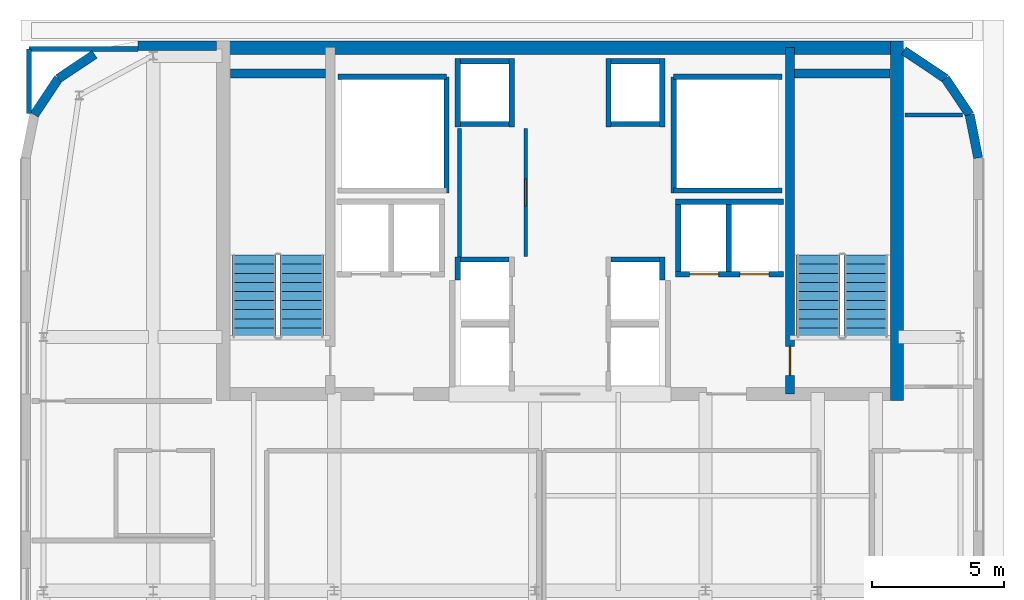
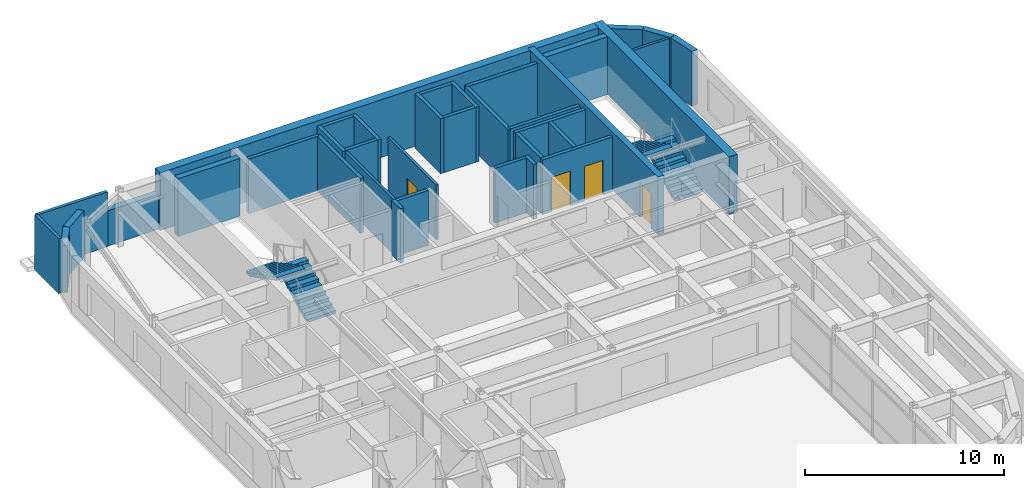
# One storey, part 11 of 16: 37 walls, 4 doors, 4 stair flights, 4 openings, 2 elements without a shape of their own.
"""IFC4 building model written with IfcOpenShell, lengths in metres."""

from ifc_helpers import new_model, si_unit, direction, frame, frame_2d, origin, place, context, subcontext, project, spatial, polyline, rectangle, outline, extrude, source, transform, mapped, material, layer, layer_set, type_object, type_shapes, element, fill, aggregate, save


model = new_model("IFC4")

# Units and contexts
model_context = context("Model", 3, precision=1e-05, world=origin(), true_north=direction((0.0, 1.0)))
body_context = subcontext(model_context, "Body", "Model", "MODEL_VIEW")
ifc_project = project(units=[si_unit("LENGTHUNIT", "METRE"), si_unit("AREAUNIT", "SQUARE_METRE"), si_unit("VOLUMEUNIT", "CUBIC_METRE"), si_unit("PLANEANGLEUNIT", "RADIAN"), si_unit("MASSUNIT", "GRAM", prefix="KILO")], contexts=[model_context])

# Site, building, storey
site_placement = place(None, origin())
site = spatial("IfcSite", under=ifc_project, at=site_placement, CompositionType="ELEMENT")
building_placement = place(site_placement, origin())
building = spatial("IfcBuilding", under=site, at=building_placement, Name="Tolvann Quenvar Hotel", CompositionType="ELEMENT")
storey_placement = place(building_placement, frame((0.0, 0.0, 241.64990234375)))
storey = spatial("IfcBuildingStorey", under=building, at=storey_placement, Name="L64", CompositionType="ELEMENT", Elevation=241.64990234375)

# Walls
ifc_material_1 = material(Name="Concrete N50 (50 MPa)", Category="concrete")
ifc_layer_1 = layer(ifc_material_1, 0.5)
ifc_layer_set_1 = layer_set([ifc_layer_1], Name="Concrete N50 (50 MPa)")
wall_type_1 = type_object("IfcWallType", Name="WALL_CORE_500", PredefinedType="SHEAR", material=ifc_layer_set_1)
wall_1_placement = place(storey_placement, frame((10.0, 44.949951171875, 0.0), z_axis=(0.0, 0.0, 1.0), x_axis=(1.0, 0.0, 0.0)))
element("IfcWall", 1, at=wall_1_placement, inside=storey, type_object=wall_type_1, Name="Rear Core N Shear Wall (L64)", PredefinedType="SHEAR", context=body_context, shape_type="SweptSolid", body=[
    extrude(rectangle(XDim=26.0, YDim=0.5, at=frame_2d((13.0, 0.0))), origin(), (0.0, 0.0, 1.0), 3.550048828125),
])
wall_2_placement = place(storey_placement, frame((35.75, 31.60009765625, 0.0), z_axis=(0.0, 0.0, 1.0), x_axis=(0.0, 1.0, 0.0)))
element("IfcWall", 2, at=wall_2_placement, inside=storey, type_object=wall_type_1, Name="Rear Core E Shear Wall (L64)", PredefinedType="SHEAR", context=body_context, shape_type="SweptSolid", body=[
    extrude(rectangle(XDim=13.599853515625, YDim=0.5, at=frame_2d((6.7998046875, 0.0))), origin(), (0.0, 0.0, 1.0), 3.550048828125),
])

# Wall, opening, door
ifc_material_2 = material(Name="Concrete S65 (65 MPa)", Category="concrete")
ifc_layer_2 = layer(ifc_material_2, 0.35009765625)
ifc_layer_set_2 = layer_set([ifc_layer_2], Name="Concrete S65 (65 MPa)")
wall_type_2 = type_object("IfcWallType", Name="WALL_CORE_INT_350", PredefinedType="SHEAR", material=ifc_layer_set_2)
wall_3_placement = place(storey_placement, frame((31.699951171875, 31.85009765625, 0.0), z_axis=(0.0, 0.0, 1.0), x_axis=(0.0, 1.0, 0.0)))
wall_3 = element("IfcWall", 3, at=wall_3_placement, inside=storey, type_object=wall_type_2, Name="Core Internal Web Shear Wall WEB-E (L64)", PredefinedType="SHEAR", context=body_context, shape_type="SweptSolid", body=[
    extrude(rectangle(XDim=13.099853515625, YDim=0.35009765625, at=frame_2d((6.5498046875, 0.0))), origin(), (0.0, 0.0, 1.0), 3.550048828125),
])
opening_1_placement = place(wall_3_placement, frame((1.800048828125, 0.0, 0.0), z_axis=(0.0, 0.0, 1.0), x_axis=(-1.0, 0.0, 0.0)))
opening_1 = element("IfcOpeningElement", 4, at=opening_1_placement, cuts=wall_3, Name="Opening FD-120", PredefinedType="OPENING", context=body_context, shape_type="SweptSolid", body=[
    extrude(rectangle(XDim=1.10009765625, YDim=2.1201171875, at=frame_2d((0.550048828125, 1.06005859375))), frame((0.0, 0.18505859375, 0.0), z_axis=(0.0, -1.0, 0.0), x_axis=(1.0, 0.0, 0.0)), (0.0, 0.0, 1.0), 0.3701171875),
])
ifc_material_3 = material(Name="Pressed galvanised steel fire-rated door set", Category="steel")
door_type_1 = type_object("IfcDoorType", Name="DOOR_FIRE_STAIR_1100", OperationType="NOTDEFINED", PredefinedType="DOOR", material=ifc_material_3)
shared_shape_1 = source(origin(), body_context, "Body", "SweptSolid", [
    extrude(rectangle(XDim=1.10009765625, YDim=2.1201171875, at=frame_2d((0.550048828125, 1.06005859375))), frame((0.0, 0.02490234375, 0.0), z_axis=(0.0, -1.0, 0.0), x_axis=(1.0, 0.0, 0.0)), (0.0, 0.0, 1.0), 0.050048828125),
])
type_shapes(door_type_1, [shared_shape_1])
door_1_placement = place(opening_1_placement, origin())
door_1 = element("IfcDoor", 5, at=door_1_placement, inside=storey, type_object=door_type_1, Name="Exit Stair ST-C2 Fire Door (L64)", OperationType="SINGLE_SWING_RIGHT", OverallHeight=2.1201171875, OverallWidth=1.10009765625, PredefinedType="DOOR", context=body_context, shape_type="MappedRepresentation", body=[
    mapped(shared_shape_1, transform((0.0, 0.0, 0.0), x_axis=(1.0, 0.0, 0.0), y_axis=(0.0, 1.0, 0.0), z_axis=(0.0, 0.0, 1.0), scale=1.0)),
])
fill(opening_1, door_1)

# Walls
for number, where, z_axis, x_axis, name in (
    (6, (10.52001953125, 43.97509765625, 0.0), (0.0, 0.0, 1.0), (1.0, 0.0, 0.0), "Core Stair North Closing Shear Wall STC1-N (L64)"),
    (7, (31.8798828125, 43.97509765625, 0.0), (0.0, 0.0, 1.0), (1.0, 0.0, 0.0), "Core Stair North Closing Shear Wall STC2-N (L64)"),
):
    element("IfcWall", number, at=place(storey_placement, frame(where, z_axis=z_axis, x_axis=x_axis)), inside=storey, type_object=wall_type_2, Name=name, PredefinedType="SHEAR", context=body_context, shape_type="SweptSolid", body=[
        extrude(rectangle(XDim=3.60009765625, YDim=0.35009765625, at=frame_2d((1.800048828125, 0.0))), origin(), (0.0, 0.0, 1.0), 3.550048828125),
    ])
ifc_material_4 = material(Name="Kiln-fired red and buff architectural clay brickwork and terracotta masonry", Category="masonry")
ifc_layer_3 = layer(ifc_material_4, 0.35009765625)
ifc_layer_set_3 = layer_set([ifc_layer_3], Name="Kiln-fired red and buff architectural clay brickwork and terracotta masonry")
wall_type_3 = type_object("IfcWallType", Name="WALL_EXT_BRICK_350", PredefinedType="SOLIDWALL", material=ifc_layer_set_3)
wall_4_placement = place(storey_placement, frame((38.824951171875, 40.78271484375, 0.0), z_axis=(0.0, 0.0, 1.0), x_axis=(-0.195044345786, 0.980794424524, 0.0)))
element("IfcWall", 8, at=wall_4_placement, inside=storey, type_object=wall_type_3, Name="Exterior Chicago Brick Wall L64-E14", PredefinedType="SOLIDWALL", context=body_context, shape_type="SweptSolid", body=[
    extrude(rectangle(XDim=1.664794921875, YDim=0.35009765625, at=frame_2d((0.83251953125, 0.0))), origin(), (0.0, 0.0, 1.0), 3.3701171875),
])
wall_5_placement = place(storey_placement, frame((38.500244140625, 42.41552734375, 0.0), z_axis=(0.0, 0.0, 1.0), x_axis=(-0.555520825599, 0.831502623162, 0.0)))
element("IfcWall", 9, at=wall_5_placement, inside=storey, type_object=wall_type_3, Name="Exterior Chicago Brick Wall L64-E15", PredefinedType="SOLIDWALL", context=body_context, shape_type="SweptSolid", body=[
    extrude(rectangle(XDim=1.647216796875, YDim=0.35009765625, at=frame_2d((0.82373046875, 0.0))), origin(), (0.0, 0.0, 1.0), 3.3701171875),
])
wall_6_placement = place(storey_placement, frame((37.585205078125, 43.78515625, 0.0), z_axis=(0.0, 0.0, 1.0), x_axis=(-0.831516639465, 0.555499845448, 0.0)))
element("IfcWall", 10, at=wall_6_placement, inside=storey, type_object=wall_type_3, Name="Exterior Chicago Brick Wall L64-E16", PredefinedType="SOLIDWALL", context=body_context, shape_type="SweptSolid", body=[
    extrude(rectangle(XDim=1.901611328125, YDim=0.35009765625, at=frame_2d((0.95068359375, 0.0))), origin(), (0.0, 0.0, 1.0), 3.3701171875),
])
wall_7_placement = place(storey_placement, frame((9.99609375, 45.02490234375, 0.0), z_axis=(0.0, 0.0, 1.0), x_axis=(-1.0, 0.0, 0.0)))
element("IfcWall", 11, at=wall_7_placement, inside=storey, type_object=wall_type_3, Name="Exterior Chicago Brick Wall L64-E18NW", PredefinedType="SOLIDWALL", context=body_context, shape_type="SweptSolid", body=[
    extrude(rectangle(XDim=2.97900390625, YDim=0.35009765625, at=frame_2d((1.489501953125, 0.0))), origin(), (0.0, 0.0, 1.0), 2.16015625),
])
for number, where, z_axis, x_axis, name in (
    (12, (5.384521484375, 44.7001953125, 0.0), (0.0, 0.0, 1.0), (-0.831502623162, -0.555520825599, 0.0), "Exterior Chicago Brick Wall L64-E20"),
    (13, (4.014892578125, 43.78515625, 0.0), (0.0, 0.0, 1.0), (-0.555623290322, -0.831434158098, 0.0), "Exterior Chicago Brick Wall L64-E21"),
):
    element("IfcWall", number, at=place(storey_placement, frame(where, z_axis=z_axis, x_axis=x_axis)), inside=storey, type_object=wall_type_3, Name=name, PredefinedType="SOLIDWALL", context=body_context, shape_type="SweptSolid", body=[
        extrude(rectangle(XDim=1.647216796875, YDim=0.35009765625, at=frame_2d((0.82373046875, 0.0))), origin(), (0.0, 0.0, 1.0), 2.900146484375),
    ])
ifc_material_5 = material(Name="Acoustic twin-stud fire-rated gypsum plasterboard partition")
ifc_layer_4 = layer(ifc_material_5, 0.179931640625)
ifc_layer_set_4 = layer_set([ifc_layer_4], Name="Acoustic twin-stud fire-rated gypsum plasterboard partition")
wall_type_4 = type_object("IfcWallType", Name="WALL_PART_ACOUSTIC_180", PredefinedType="PARTITIONING", material=ifc_layer_set_4)
wall_8_placement = place(storey_placement, frame((2.89990234375, 44.89990234375, 0.0), z_axis=(0.0, 0.0, 1.0), x_axis=(1.0, 0.0, 0.0)))
element("IfcWall", 14, at=wall_8_placement, inside=storey, type_object=wall_type_4, Name="Interior Partition PT-SPC-L64-SAL-N", PredefinedType="PARTITIONING", context=body_context, shape_type="SweptSolid", body=[
    extrude(rectangle(XDim=4.1171875, YDim=0.179931640625, at=frame_2d((2.05859375, 0.0))), origin(), (0.0, 0.0, 1.0), 3.3701171875),
])
wall_9_placement = place(storey_placement, frame((2.89990234375, 42.455078125, 0.0), z_axis=(0.0, 0.0, 1.0), x_axis=(0.0, 1.0, 0.0)))
element("IfcWall", 15, at=wall_9_placement, inside=storey, type_object=wall_type_4, Name="Interior Partition PT-SPC-L64-SAL-W", PredefinedType="PARTITIONING", context=body_context, shape_type="SweptSolid", body=[
    extrude(rectangle(XDim=2.44482421875, YDim=0.179931640625, at=frame_2d((1.222412109375, 0.0))), origin(), (0.0, 0.0, 1.0), 3.3701171875),
])

# Wall, opening, door
ifc_layer_5 = layer(ifc_material_5, 0.14990234375)
ifc_layer_set_5 = layer_set([ifc_layer_5], Name="Acoustic twin-stud fire-rated gypsum plasterboard partition")
wall_type_5 = type_object("IfcWallType", Name="WALL_PART_SUITE_150", PredefinedType="PARTITIONING", material=ifc_layer_set_5)
wall_10_placement = place(storey_placement, frame((21.699951171875, 37.050048828125, 0.0), z_axis=(0.0, 0.0, 1.0), x_axis=(0.0, 1.0, 0.0)))
wall_10 = element("IfcWall", 16, at=wall_10_placement, inside=storey, type_object=wall_type_5, Name="Interior Partition PT-SPC-L64-RECPM-1-ENT", PredefinedType="PARTITIONING", context=body_context, shape_type="SweptSolid", body=[
    extrude(rectangle(XDim=4.849853515625, YDim=0.14990234375, at=frame_2d((2.4248046875, 0.0))), origin(), (0.0, 0.0, 1.0), 3.3701171875),
])
opening_2_placement = place(wall_10_placement, frame((1.9150390625, 0.0, 0.0)))
opening_2 = element("IfcOpeningElement", 17, at=opening_2_placement, cuts=wall_10, Name="Opening HD-01", PredefinedType="OPENING", context=body_context, shape_type="SweptSolid", body=[
    extrude(rectangle(XDim=1.02001953125, YDim=2.030029296875, at=frame_2d((0.510009765625, 1.01513671875))), frame((0.0, 0.0849609375, 0.0), z_axis=(0.0, -1.0, 0.0), x_axis=(1.0, 0.0, 0.0)), (0.0, 0.0, 1.0), 0.169921875),
])
door_type_2 = type_object("IfcDoorType", Name="DOOR_BOH_1020", OperationType="NOTDEFINED", PredefinedType="DOOR", material=ifc_material_3)
shared_shape_2 = source(origin(), body_context, "Body", "SweptSolid", [
    extrude(rectangle(XDim=1.02001953125, YDim=2.030029296875, at=frame_2d((0.510009765625, 1.01513671875))), frame((0.0, 0.02490234375, 0.0), z_axis=(0.0, -1.0, 0.0), x_axis=(1.0, 0.0, 0.0)), (0.0, 0.0, 1.0), 0.050048828125),
])
type_shapes(door_type_2, [shared_shape_2])
door_2_placement = place(opening_2_placement, origin())
door_2 = element("IfcDoor", 18, at=door_2_placement, inside=storey, type_object=door_type_2, Name="Interior Door DOOR-SPC-L64-RECPM-1", OperationType="SINGLE_SWING_LEFT", OverallHeight=2.030029296875, OverallWidth=1.02001953125, PredefinedType="DOOR", context=body_context, shape_type="MappedRepresentation", body=[
    mapped(shared_shape_2, transform((0.0, 0.0, 0.0), x_axis=(1.0, 0.0, 0.0), y_axis=(0.0, 1.0, 0.0), z_axis=(0.0, 0.0, 1.0), scale=1.0)),
])
fill(opening_2, door_2)

# Walls
wall_11_placement = place(storey_placement, frame((19.199951171875, 37.0400390625, 0.0), z_axis=(0.0, 0.0, 1.0), x_axis=(0.0, 1.0, 0.0)))
element("IfcWall", 19, at=wall_11_placement, inside=storey, type_object=wall_type_5, Name="Interior Partition PT-SPC-L64-RECPM-1-W", PredefinedType="PARTITIONING", context=body_context, shape_type="SweptSolid", body=[
    extrude(rectangle(XDim=4.85986328125, YDim=0.14990234375, at=frame_2d((2.429931640625, 0.0))), origin(), (0.0, 0.0, 1.0), 3.3701171875),
])
wall_12_placement = place(storey_placement, frame((36.054931640625, 42.39990234375, 0.0), z_axis=(0.0, 0.0, 1.0), x_axis=(1.0, 0.0, 0.0)))
element("IfcWall", 20, at=wall_12_placement, inside=storey, type_object=wall_type_5, Name="Interior Partition PT-SPC-L64-RECPL-P-N", PredefinedType="PARTITIONING", context=body_context, shape_type="SweptSolid", body=[
    extrude(rectangle(XDim=2.178955078125, YDim=0.14990234375, at=frame_2d((1.08935546875, 0.0))), origin(), (0.0, 0.0, 1.0), 3.3701171875),
])
ifc_material_6 = material(Name="Concrete N40 (40 MPa)", Category="concrete")
ifc_layer_6 = layer(ifc_material_6, 0.199951171875)
ifc_layer_set_6 = layer_set([ifc_layer_6], Name="Concrete N40 (40 MPa)")
wall_type_6 = type_object("IfcWallType", Name="WALL_SHAFT_200", PredefinedType="SOLIDWALL", material=ifc_layer_set_6)
wall_13_placement = place(storey_placement, frame((18.699951171875, 39.449951171875, 0.0), z_axis=(0.0, 0.0, 1.0), x_axis=(0.0, 1.0, 0.0)))
element("IfcWall", 21, at=wall_13_placement, inside=storey, type_object=wall_type_6, Name="Service Riser W Shaft Wall IN (L64)", PredefinedType="SOLIDWALL", context=body_context, shape_type="SweptSolid", body=[
    extrude(rectangle(XDim=4.400146484375, YDim=0.199951171875, at=frame_2d((2.2001953125, 0.0))), origin(), (0.0, 0.0, 1.0), 3.3701171875),
])
wall_14_placement = place(storey_placement, frame((14.60009765625, 43.85009765625, 0.0), z_axis=(0.0, 0.0, 1.0), x_axis=(1.0, 0.0, 0.0)))
element("IfcWall", 22, at=wall_14_placement, inside=storey, type_object=wall_type_6, Name="Service Riser W Shaft Wall N (L64)", PredefinedType="SOLIDWALL", context=body_context, shape_type="SweptSolid", body=[
    extrude(rectangle(XDim=4.099853515625, YDim=0.199951171875, at=frame_2d((2.0498046875, 0.0))), origin(), (0.0, 0.0, 1.0), 3.3701171875),
])
wall_15_placement = place(storey_placement, frame((27.300048828125, 39.449951171875, 0.0), z_axis=(0.0, 0.0, 1.0), x_axis=(0.0, 1.0, 0.0)))
element("IfcWall", 23, at=wall_15_placement, inside=storey, type_object=wall_type_6, Name="Service Riser E Shaft Wall IN (L64)", PredefinedType="SOLIDWALL", context=body_context, shape_type="SweptSolid", body=[
    extrude(rectangle(XDim=4.400146484375, YDim=0.199951171875, at=frame_2d((2.2001953125, 0.0))), origin(), (0.0, 0.0, 1.0), 3.3701171875),
])
for number, where, z_axis, x_axis, name in (
    (24, (27.300048828125, 39.550048828125, 0.0), (0.0, 0.0, 1.0), (1.0, 0.0, 0.0), "Service Riser E Shaft Wall S (L64)"),
    (25, (27.300048828125, 43.85009765625, 0.0), (0.0, 0.0, 1.0), (1.0, 0.0, 0.0), "Service Riser E Shaft Wall N (L64)"),
):
    element("IfcWall", number, at=place(storey_placement, frame(where, z_axis=z_axis, x_axis=x_axis)), inside=storey, type_object=wall_type_6, Name=name, PredefinedType="SOLIDWALL", context=body_context, shape_type="SweptSolid", body=[
        extrude(rectangle(XDim=4.099853515625, YDim=0.199951171875, at=frame_2d((2.0498046875, 0.0))), origin(), (0.0, 0.0, 1.0), 3.3701171875),
    ])
wall_16_placement = place(storey_placement, frame((19.1298828125, 36.159912109375, 0.0), z_axis=(0.0, 0.0, 1.0), x_axis=(0.0, 1.0, 0.0)))
element("IfcWall", 26, at=wall_16_placement, inside=storey, type_object=wall_type_6, Name="Lift Bank E21.1C1 Hoistway Rear Wall (L64)", PredefinedType="SOLIDWALL", context=body_context, shape_type="SweptSolid", body=[
    extrude(rectangle(XDim=0.880126953125, YDim=0.199951171875, at=frame_2d((0.43994140625, 0.0))), origin(), (0.0, 0.0, 1.0), 3.3701171875),
])
wall_17_placement = place(storey_placement, frame((19.22998046875, 36.93994140625, 0.0), z_axis=(0.0, 0.0, 1.0), x_axis=(1.0, 0.0, 0.0)))
element("IfcWall", 27, at=wall_17_placement, inside=storey, type_object=wall_type_6, Name="Lift Bank E21.1C1 Hoistway Cheek Wall 2 (L64)", PredefinedType="SOLIDWALL", context=body_context, shape_type="SweptSolid", body=[
    extrude(rectangle(XDim=1.840087890625, YDim=0.199951171875, at=frame_2d((0.919921875, 0.0))), origin(), (0.0, 0.0, 1.0), 3.3701171875),
])
for number, where, z_axis, x_axis, name in (
    (28, (21.169921875, 41.9599609375, 0.0), (0.0, 0.0, 1.0), (0.0, 1.0, 0.0), "Lift Bank E21.1C2 Hoistway Front Wall (L64)"),
    (29, (19.1298828125, 41.9599609375, 0.0), (0.0, 0.0, 1.0), (0.0, 1.0, 0.0), "Lift Bank E21.1C2 Hoistway Rear Wall (L64)"),
):
    element("IfcWall", number, at=place(storey_placement, frame(where, z_axis=z_axis, x_axis=x_axis)), inside=storey, type_object=wall_type_6, Name=name, PredefinedType="SOLIDWALL", context=body_context, shape_type="SweptSolid", body=[
        extrude(rectangle(XDim=2.580078125, YDim=0.199951171875, at=frame_2d((1.2900390625, 0.0))), origin(), (0.0, 0.0, 1.0), 3.3701171875),
    ])
for number, where, z_axis, x_axis, name in (
    (30, (19.22998046875, 42.06005859375, 0.0), (0.0, 0.0, 1.0), (1.0, 0.0, 0.0), "Lift Bank E21.1C2 Hoistway Cheek Wall 1 (L64)"),
    (31, (19.22998046875, 44.43994140625, 0.0), (0.0, 0.0, 1.0), (1.0, 0.0, 0.0), "Lift Bank E21.1C2 Hoistway Cheek Wall 2 (L64)"),
):
    element("IfcWall", number, at=place(storey_placement, frame(where, z_axis=z_axis, x_axis=x_axis)), inside=storey, type_object=wall_type_6, Name=name, PredefinedType="SOLIDWALL", context=body_context, shape_type="SweptSolid", body=[
        extrude(rectangle(XDim=1.840087890625, YDim=0.199951171875, at=frame_2d((0.919921875, 0.0))), origin(), (0.0, 0.0, 1.0), 3.3701171875),
    ])

# Wall, openings, doors
wall_18_placement = place(storey_placement, frame((27.375, 36.3798828125, 0.0), z_axis=(0.0, 0.0, 1.0), x_axis=(1.0, 0.0, 0.0)))
wall_18 = element("IfcWall", 32, at=wall_18_placement, inside=storey, type_object=wall_type_6, Name="Lift Bank SEC1 Hoistway Front Wall (L64)", PredefinedType="SOLIDWALL", context=body_context, shape_type="SweptSolid", body=[
    extrude(rectangle(XDim=4.074951171875, YDim=0.199951171875, at=frame_2d((2.03759765625, 0.0))), origin(), (0.0, 0.0, 1.0), 3.3701171875),
])
opening_3_placement = place(wall_18_placement, frame((0.52490234375, 0.0, 0.0)))
opening_3 = element("IfcOpeningElement", 33, at=opening_3_placement, cuts=wall_18, Name="Opening LD-01", PredefinedType="OPENING", context=body_context, shape_type="SweptSolid", body=[
    extrude(rectangle(XDim=1.10009765625, YDim=2.1201171875, at=frame_2d((0.550048828125, 1.06005859375))), frame((0.0, 0.10986328125, 0.0), z_axis=(0.0, -1.0, 0.0), x_axis=(1.0, 0.0, 0.0)), (0.0, 0.0, 1.0), 0.219970703125),
])
opening_4_placement = place(wall_18_placement, frame((2.425048828125, 0.0, 0.0)))
opening_4 = element("IfcOpeningElement", 34, at=opening_4_placement, cuts=wall_18, Name="Opening LD-01", PredefinedType="OPENING", context=body_context, shape_type="SweptSolid", body=[
    extrude(rectangle(XDim=1.10009765625, YDim=2.1201171875, at=frame_2d((0.550048828125, 1.06005859375))), frame((0.0, 0.10986328125, 0.0), z_axis=(0.0, -1.0, 0.0), x_axis=(1.0, 0.0, 0.0)), (0.0, 0.0, 1.0), 0.219970703125),
])
ifc_material_7 = material(Name="Brushed 316 stainless steel automatic sliding lift landing door", Category="steel")
door_type_3 = type_object("IfcDoorType", Name="DOOR_LIFT_SLIDE_1100", OperationType="NOTDEFINED", PredefinedType="DOOR", material=ifc_material_7)
shared_shape_3 = source(origin(), body_context, "Body", "SweptSolid", [
    extrude(rectangle(XDim=1.10009765625, YDim=2.1201171875, at=frame_2d((0.550048828125, 1.06005859375))), frame((0.0, 0.02490234375, 0.0), z_axis=(0.0, -1.0, 0.0), x_axis=(1.0, 0.0, 0.0)), (0.0, 0.0, 1.0), 0.050048828125),
])
type_shapes(door_type_3, [shared_shape_3])
door_3_placement = place(opening_3_placement, origin())
door_3 = element("IfcDoor", 35, at=door_3_placement, inside=storey, type_object=door_type_3, Name="Lift SV-2 Sliding Landing Door (L64)", OperationType="SLIDING_TO_LEFT", OverallHeight=2.1201171875, OverallWidth=1.10009765625, PredefinedType="DOOR", context=body_context, shape_type="MappedRepresentation", body=[
    mapped(shared_shape_3, transform((0.0, 0.0, 0.0), x_axis=(1.0, 0.0, 0.0), y_axis=(0.0, 1.0, 0.0), z_axis=(0.0, 0.0, 1.0), scale=1.0)),
])
fill(opening_3, door_3)
door_4_placement = place(opening_4_placement, origin())
door_4 = element("IfcDoor", 36, at=door_4_placement, inside=storey, type_object=door_type_3, Name="Lift FF-2 Sliding Landing Door (L64)", OperationType="SLIDING_TO_RIGHT", OverallHeight=2.1201171875, OverallWidth=1.10009765625, PredefinedType="DOOR", context=body_context, shape_type="MappedRepresentation", body=[
    mapped(shared_shape_3, transform((0.0, 0.0, 0.0), x_axis=(1.0, 0.0, 0.0), y_axis=(0.0, 1.0, 0.0), z_axis=(0.0, 0.0, 1.0), scale=1.0)),
])
fill(opening_4, door_4)

# Walls
wall_19_placement = place(storey_placement, frame((27.375, 39.1201171875, 0.0), z_axis=(0.0, 0.0, 1.0), x_axis=(1.0, 0.0, 0.0)))
element("IfcWall", 37, at=wall_19_placement, inside=storey, type_object=wall_type_6, Name="Lift Bank SEC1 Hoistway Rear Wall (L64)", PredefinedType="SOLIDWALL", context=body_context, shape_type="SweptSolid", body=[
    extrude(rectangle(XDim=4.074951171875, YDim=0.199951171875, at=frame_2d((2.03759765625, 0.0))), origin(), (0.0, 0.0, 1.0), 3.3701171875),
])
for number, where, z_axis, x_axis, name in (
    (38, (27.47509765625, 36.47998046875, 0.0), (0.0, 0.0, 1.0), (0.0, 1.0, 0.0), "Lift Bank SEC1 Hoistway Cheek Wall 1 (L64)"),
    (39, (29.387451171875, 36.47998046875, 0.0), (0.0, 0.0, 1.0), (0.0, 1.0, 0.0), "Lift Bank SEC1 Divider Wall 1 (L64)"),
):
    element("IfcWall", number, at=place(storey_placement, frame(where, z_axis=z_axis, x_axis=x_axis)), inside=storey, type_object=wall_type_6, Name=name, PredefinedType="SOLIDWALL", context=body_context, shape_type="SweptSolid", body=[
        extrude(rectangle(XDim=2.5400390625, YDim=0.199951171875, at=frame_2d((1.27001953125, 0.0))), origin(), (0.0, 0.0, 1.0), 3.3701171875),
    ])
wall_20_placement = place(storey_placement, frame((26.8701171875, 36.159912109375, 0.0), z_axis=(0.0, 0.0, 1.0), x_axis=(0.0, 1.0, 0.0)))
element("IfcWall", 40, at=wall_20_placement, inside=storey, type_object=wall_type_6, Name="Lift Bank W24.9C1 Hoistway Rear Wall (L64)", PredefinedType="SOLIDWALL", context=body_context, shape_type="SweptSolid", body=[
    extrude(rectangle(XDim=0.880126953125, YDim=0.199951171875, at=frame_2d((0.43994140625, 0.0))), origin(), (0.0, 0.0, 1.0), 3.3701171875),
])
wall_21_placement = place(storey_placement, frame((24.929931640625, 36.93994140625, 0.0), z_axis=(0.0, 0.0, 1.0), x_axis=(1.0, 0.0, 0.0)))
element("IfcWall", 41, at=wall_21_placement, inside=storey, type_object=wall_type_6, Name="Lift Bank W24.9C1 Hoistway Cheek Wall 2 (L64)", PredefinedType="SOLIDWALL", context=body_context, shape_type="SweptSolid", body=[
    extrude(rectangle(XDim=1.840087890625, YDim=0.199951171875, at=frame_2d((0.919921875, 0.0))), origin(), (0.0, 0.0, 1.0), 3.3701171875),
])
for number, where, z_axis, x_axis, name in (
    (42, (24.830078125, 41.9599609375, 0.0), (0.0, 0.0, 1.0), (0.0, 1.0, 0.0), "Lift Bank W24.9C2 Hoistway Front Wall (L64)"),
    (43, (26.8701171875, 41.9599609375, 0.0), (0.0, 0.0, 1.0), (0.0, 1.0, 0.0), "Lift Bank W24.9C2 Hoistway Rear Wall (L64)"),
):
    element("IfcWall", number, at=place(storey_placement, frame(where, z_axis=z_axis, x_axis=x_axis)), inside=storey, type_object=wall_type_6, Name=name, PredefinedType="SOLIDWALL", context=body_context, shape_type="SweptSolid", body=[
        extrude(rectangle(XDim=2.580078125, YDim=0.199951171875, at=frame_2d((1.2900390625, 0.0))), origin(), (0.0, 0.0, 1.0), 3.3701171875),
    ])
for number, where, z_axis, x_axis, name in (
    (44, (24.929931640625, 42.06005859375, 0.0), (0.0, 0.0, 1.0), (1.0, 0.0, 0.0), "Lift Bank W24.9C2 Hoistway Cheek Wall 1 (L64)"),
    (45, (24.929931640625, 44.43994140625, 0.0), (0.0, 0.0, 1.0), (1.0, 0.0, 0.0), "Lift Bank W24.9C2 Hoistway Cheek Wall 2 (L64)"),
):
    element("IfcWall", number, at=place(storey_placement, frame(where, z_axis=z_axis, x_axis=x_axis)), inside=storey, type_object=wall_type_6, Name=name, PredefinedType="SOLIDWALL", context=body_context, shape_type="SweptSolid", body=[
        extrude(rectangle(XDim=1.840087890625, YDim=0.199951171875, at=frame_2d((0.919921875, 0.0))), origin(), (0.0, 0.0, 1.0), 3.3701171875),
    ])

# Stair, stair flights
stair_type = type_object("IfcStairType", Name="STAIR", PredefinedType="HALF_TURN_STAIR", material=ifc_material_6)
stair_1_placement = place(storey_placement, origin())
stair_1 = element("IfcStair", 46, at=stair_1_placement, inside=storey, type_object=stair_type, Name="L64 ST-C1", PredefinedType="HALF_TURN_STAIR")
stair_flight_type = type_object("IfcStairFlightType", Name="STAIR_FLIGHT", PredefinedType="STRAIGHT", material=ifc_material_6)
stair_flight_1_placement = place(storey_placement, frame((13.22509765625, 34.0, 0.0), z_axis=(0.0, 0.0, 1.0), x_axis=(0.0, 1.0, 0.0)))
stair_flight_1 = element("IfcStairFlight", 47, at=stair_flight_1_placement, type_object=stair_flight_type, Name="ST-C1 flight 1", NumberOfRisers=10, NumberOfTreads=9, PredefinedType="STRAIGHT", RiserHeight=0.1775, TreadLength=0.345, context=body_context, shape_type="SweptSolid", body=[
    extrude(outline(polyline([(0.0, 0.0), (0.0, 0.177490234375), (0.344970703125, 0.177490234375), (0.344970703125, 0.35498046875), (0.68994140625, 0.35498046875), (0.68994140625, 0.532470703125), (1.034912109375, 0.532470703125), (1.034912109375, 0.7099609375), (1.3798828125, 0.7099609375), (1.3798828125, 0.887451171875), (1.72509765625, 0.887451171875), (1.72509765625, 1.06494140625), (2.070068359375, 1.06494140625), (2.070068359375, 1.242431640625), (2.4150390625, 1.242431640625), (2.4150390625, 1.419921875), (2.760009765625, 1.419921875), (2.760009765625, 1.597412109375), (3.10498046875, 1.597412109375), (3.10498046875, 1.77490234375), (3.10498046875, 1.428955078125), (0.32763671875, 0.0), (0.0, 0.0)])), frame((0.0, 0.824951171875, 0.0), z_axis=(0.0, -1.0, 0.0), x_axis=(1.0, 0.0, 0.0)), (0.0, 0.0, 1.0), 1.64990234375),
])
stair_flight_2_placement = place(storey_placement, frame((11.425048828125, 37.10498046875, 1.775146484375), z_axis=(0.0, 0.0, 1.0), x_axis=(0.0, -1.0, 0.0)))
stair_flight_2 = element("IfcStairFlight", 48, at=stair_flight_2_placement, type_object=stair_flight_type, Name="ST-C1 flight 2", NumberOfRisers=10, NumberOfTreads=9, PredefinedType="STRAIGHT", RiserHeight=0.1775, TreadLength=0.345, context=body_context, shape_type="SweptSolid", body=[
    extrude(outline(polyline([(0.0, 0.0), (0.0, 0.177490234375), (0.344970703125, 0.177490234375), (0.344970703125, 0.35498046875), (0.68994140625, 0.35498046875), (0.68994140625, 0.532470703125), (1.034912109375, 0.532470703125), (1.034912109375, 0.7099609375), (1.3798828125, 0.7099609375), (1.3798828125, 0.887451171875), (1.72509765625, 0.887451171875), (1.72509765625, 1.06494140625), (2.070068359375, 1.06494140625), (2.070068359375, 1.242431640625), (2.4150390625, 1.242431640625), (2.4150390625, 1.419921875), (2.760009765625, 1.419921875), (2.760009765625, 1.597412109375), (3.10498046875, 1.597412109375), (3.10498046875, 1.77490234375), (3.10498046875, 1.428955078125), (0.32763671875, 0.0), (0.0, 0.0)])), frame((0.0, 0.824951171875, 0.0), z_axis=(0.0, -1.0, 0.0), x_axis=(1.0, 0.0, 0.0)), (0.0, 0.0, 1.0), 1.64990234375),
])
aggregate(stair_1, [stair_flight_1, stair_flight_2])

stair_2_placement = place(storey_placement, origin())
stair_2 = element("IfcStair", 49, at=stair_2_placement, inside=storey, type_object=stair_type, Name="L64 ST-C2", PredefinedType="HALF_TURN_STAIR")
stair_flight_3_placement = place(storey_placement, frame((34.574951171875, 34.0, 0.0), z_axis=(0.0, 0.0, 1.0), x_axis=(0.0, 1.0, 0.0)))
stair_flight_3 = element("IfcStairFlight", 50, at=stair_flight_3_placement, type_object=stair_flight_type, Name="ST-C2 flight 1", NumberOfRisers=10, NumberOfTreads=9, PredefinedType="STRAIGHT", RiserHeight=0.1775, TreadLength=0.345, context=body_context, shape_type="SweptSolid", body=[
    extrude(outline(polyline([(0.0, 0.0), (0.0, 0.177490234375), (0.344970703125, 0.177490234375), (0.344970703125, 0.35498046875), (0.68994140625, 0.35498046875), (0.68994140625, 0.532470703125), (1.034912109375, 0.532470703125), (1.034912109375, 0.7099609375), (1.3798828125, 0.7099609375), (1.3798828125, 0.887451171875), (1.72509765625, 0.887451171875), (1.72509765625, 1.06494140625), (2.070068359375, 1.06494140625), (2.070068359375, 1.242431640625), (2.4150390625, 1.242431640625), (2.4150390625, 1.419921875), (2.760009765625, 1.419921875), (2.760009765625, 1.597412109375), (3.10498046875, 1.597412109375), (3.10498046875, 1.77490234375), (3.10498046875, 1.428955078125), (0.32763671875, 0.0), (0.0, 0.0)])), frame((0.0, 0.824951171875, 0.0), z_axis=(0.0, -1.0, 0.0), x_axis=(1.0, 0.0, 0.0)), (0.0, 0.0, 1.0), 1.64990234375),
])
stair_flight_4_placement = place(storey_placement, frame((32.77490234375, 37.10498046875, 1.775146484375), z_axis=(0.0, 0.0, 1.0), x_axis=(0.0, -1.0, 0.0)))
stair_flight_4 = element("IfcStairFlight", 51, at=stair_flight_4_placement, type_object=stair_flight_type, Name="ST-C2 flight 2", NumberOfRisers=10, NumberOfTreads=9, PredefinedType="STRAIGHT", RiserHeight=0.1775, TreadLength=0.345, context=body_context, shape_type="SweptSolid", body=[
    extrude(outline(polyline([(0.0, 0.0), (0.0, 0.177490234375), (0.344970703125, 0.177490234375), (0.344970703125, 0.35498046875), (0.68994140625, 0.35498046875), (0.68994140625, 0.532470703125), (1.034912109375, 0.532470703125), (1.034912109375, 0.7099609375), (1.3798828125, 0.7099609375), (1.3798828125, 0.887451171875), (1.72509765625, 0.887451171875), (1.72509765625, 1.06494140625), (2.070068359375, 1.06494140625), (2.070068359375, 1.242431640625), (2.4150390625, 1.242431640625), (2.4150390625, 1.419921875), (2.760009765625, 1.419921875), (2.760009765625, 1.597412109375), (3.10498046875, 1.597412109375), (3.10498046875, 1.77490234375), (3.10498046875, 1.428955078125), (0.32763671875, 0.0), (0.0, 0.0)])), frame((0.0, 0.824951171875, 0.0), z_axis=(0.0, -1.0, 0.0), x_axis=(1.0, 0.0, 0.0)), (0.0, 0.0, 1.0), 1.64990234375),
])
aggregate(stair_2, [stair_flight_3, stair_flight_4])

save(model, "model.ifc")
